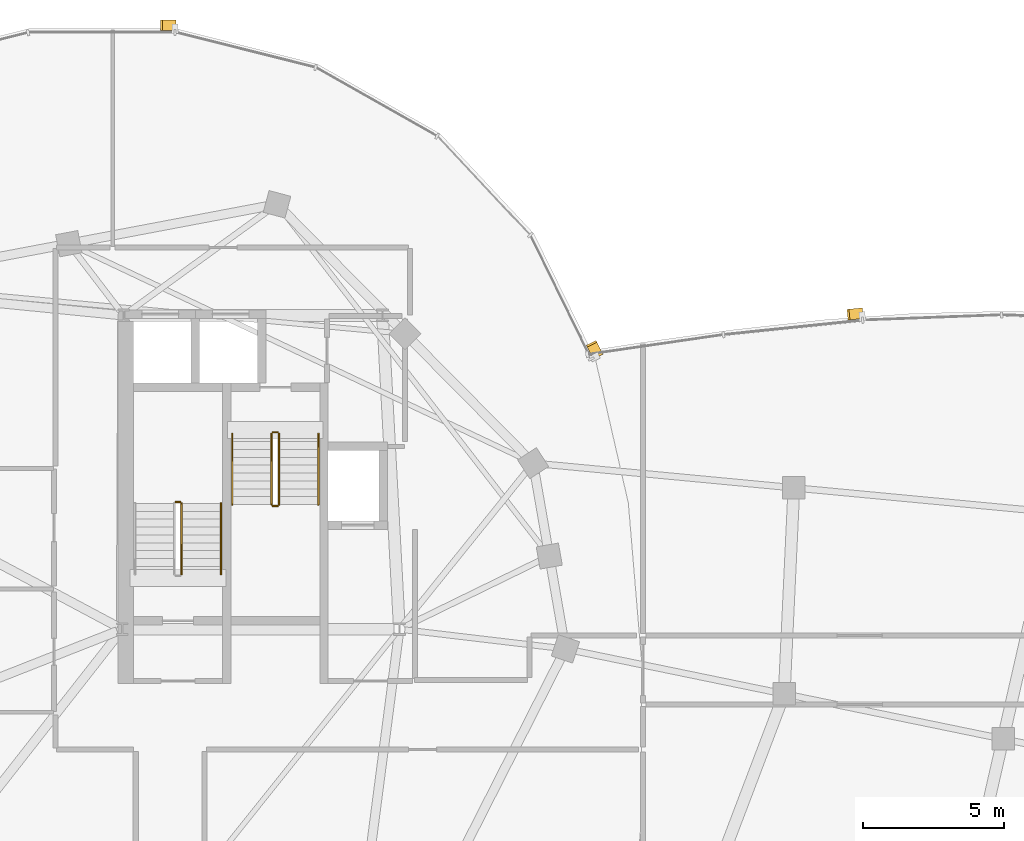
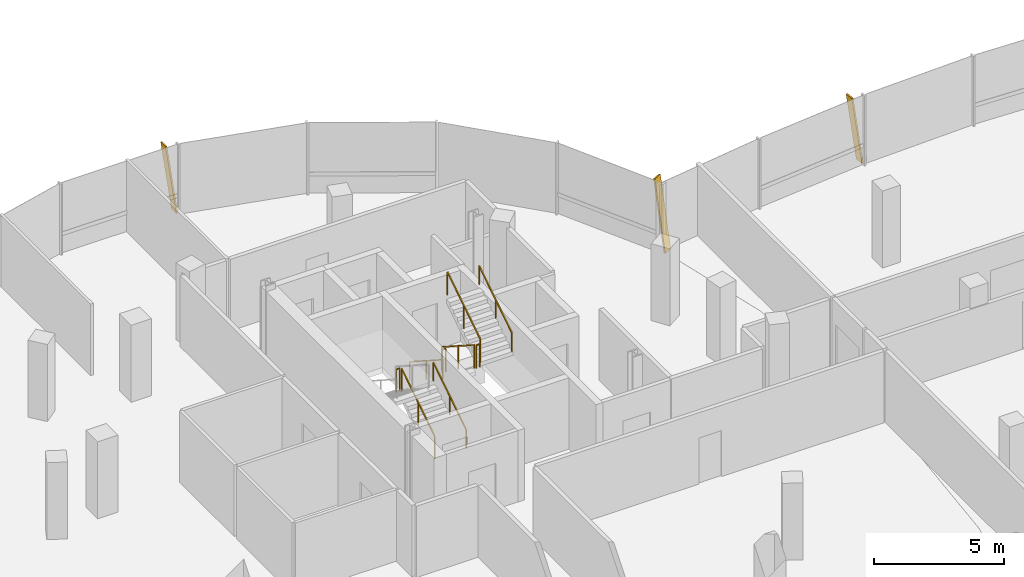
# One storey, part 22 of 24: 9 railings, 3 shading devices.
"""IFC4 building model written with IfcOpenShell, lengths in metres."""

from ifc_helpers import new_model, si_unit, direction, frame, origin, origin_2d, place, context, subcontext, project, spatial, rectangle, extrude, material, material_profile, profile_set, type_object, element, save


model = new_model("IFC4")

# Units and contexts
model_context = context("Model", 3, precision=1e-05, world=origin(), true_north=direction((0.0, 1.0)))
body_context = subcontext(model_context, "Body", "Model", "MODEL_VIEW")
ifc_project = project(units=[si_unit("LENGTHUNIT", "METRE"), si_unit("AREAUNIT", "SQUARE_METRE"), si_unit("VOLUMEUNIT", "CUBIC_METRE"), si_unit("PLANEANGLEUNIT", "RADIAN"), si_unit("MASSUNIT", "GRAM", prefix="KILO"), si_unit("THERMODYNAMICTEMPERATUREUNIT", "KELVIN"), si_unit("POWERUNIT", "WATT")], contexts=[model_context])

# Site, building, storey
site_placement = place(None, origin())
site = spatial("IfcSite", under=ifc_project, at=site_placement, CompositionType="ELEMENT")
building_placement = place(site_placement, origin())
building = spatial("IfcBuilding", under=site, at=building_placement, Name="Cundina Bronze Exchange", CompositionType="ELEMENT")
storey_placement = place(building_placement, frame((0.0, 0.0, 268.39990234375)))
storey = spatial("IfcBuildingStorey", under=building, at=storey_placement, Name="L71", CompositionType="ELEMENT", Elevation=268.39990234375)

# Railings
ifc_material_1 = material(Name="Steel ASTM A36 Painted", Category="steel")
railing_type_1 = type_object("IfcRailingType", Name="RLG-HND-900", PredefinedType="HANDRAIL", material=ifc_material_1)
railing_1_placement = place(storey_placement, frame((-27.7900390625, 5.85009765625, 0.18017578125)))
element("IfcRailing", 1, at=railing_1_placement, inside=storey, type_object=railing_type_1, Name="L71 ST-W1 stair handrail 1", PredefinedType="HANDRAIL", context=body_context, shape_type="SweptSolid", body=[
    extrude(rectangle(XDim=0.048095703125, YDim=0.048095703125, at=origin_2d()), frame((0.0, 0.0, 0.8759765625), z_axis=(0.0, 0.841199657755, 0.540724639528), x_axis=(-1.0, 0.0, 0.0)), (0.0, 0.0, 1.0), 2.995849609375),
    extrude(rectangle(XDim=0.0419921875, YDim=0.0419921875, at=origin_2d()), origin(), (0.0, 0.0, 1.0), 0.851806640625),
    extrude(rectangle(XDim=0.0419921875, YDim=0.0419921875, at=origin_2d()), frame((0.0, 1.260009765625, 0.81005859375)), (0.0, 0.0, 1.0), 0.851806640625),
    extrude(rectangle(XDim=0.0419921875, YDim=0.0419921875, at=origin_2d()), frame((0.0, 2.52001953125, 1.619873046875)), (0.0, 0.0, 1.0), 0.851806640625),
])
railing_2_placement = place(storey_placement, frame((-27.389892578125, 10.85009765625, 0.18017578125)))
element("IfcRailing", 2, at=railing_2_placement, inside=storey, type_object=railing_type_1, Name="L71 ST-W2 stair handrail 1", PredefinedType="HANDRAIL", context=body_context, shape_type="SweptSolid", body=[
    extrude(rectangle(XDim=0.048095703125, YDim=0.048095703125, at=origin_2d()), frame((0.0, 0.0, 0.8759765625), z_axis=(0.0, -0.841199657755, 0.540724639528), x_axis=(1.0, 0.0, 0.0)), (0.0, 0.0, 1.0), 2.995849609375),
    extrude(rectangle(XDim=0.0419921875, YDim=0.0419921875, at=origin_2d()), origin(), (0.0, 0.0, 1.0), 0.851806640625),
    extrude(rectangle(XDim=0.0419921875, YDim=0.0419921875, at=origin_2d()), frame((0.0, -1.260009765625, 0.81005859375)), (0.0, 0.0, 1.0), 0.851806640625),
    extrude(rectangle(XDim=0.0419921875, YDim=0.0419921875, at=origin_2d()), frame((0.0, -2.52001953125, 1.619873046875)), (0.0, 0.0, 1.0), 0.851806640625),
])
railing_3_placement = place(storey_placement, frame((-24.330078125, 8.330078125, 1.97998046875)))
element("IfcRailing", 3, at=railing_3_placement, inside=storey, type_object=railing_type_1, Name="L71 ST-W2 stair handrail 2", PredefinedType="HANDRAIL", context=body_context, shape_type="SweptSolid", body=[
    extrude(rectangle(XDim=0.048095703125, YDim=0.048095703125, at=origin_2d()), frame((0.0, 0.0, 0.8759765625), z_axis=(0.0, 0.841162588446, 0.540782303519), x_axis=(-1.0, 0.0, 0.0)), (0.0, 0.0, 1.0), 2.995849609375),
    extrude(rectangle(XDim=0.0419921875, YDim=0.0419921875, at=origin_2d()), origin(), (0.0, 0.0, 1.0), 0.851806640625),
    extrude(rectangle(XDim=0.0419921875, YDim=0.0419921875, at=origin_2d()), frame((0.0, 1.260009765625, 0.81005859375)), (0.0, 0.0, 1.0), 0.851806640625),
    extrude(rectangle(XDim=0.0419921875, YDim=0.0419921875, at=origin_2d()), frame((0.0, 2.52001953125, 1.6201171875)), (0.0, 0.0, 1.0), 0.851806640625),
])
railing_type_2 = type_object("IfcRailingType", Name="RLG-STG-1100", PredefinedType="GUARDRAIL", material=ifc_material_1)
railing_4_placement = place(storey_placement, frame((-29.18994140625, 5.85009765625, 0.18017578125)))
element("IfcRailing", 4, at=railing_4_placement, inside=storey, type_object=railing_type_2, Name="L71 ST-W1 stair guard 1", PredefinedType="GUARDRAIL", context=body_context, shape_type="SweptSolid", body=[
    extrude(rectangle(XDim=0.048095703125, YDim=0.048095703125, at=origin_2d()), frame((0.0, 0.0, 1.076171875), z_axis=(0.0, 0.841199657755, 0.540724639528), x_axis=(-1.0, 0.0, 0.0)), (0.0, 0.0, 1.0), 2.995849609375),
    extrude(rectangle(XDim=0.0419921875, YDim=0.0419921875, at=origin_2d()), origin(), (0.0, 0.0, 1.0), 1.052001953125),
    extrude(rectangle(XDim=0.0419921875, YDim=0.0419921875, at=origin_2d()), frame((0.0, 1.260009765625, 0.81005859375)), (0.0, 0.0, 1.0), 1.052001953125),
    extrude(rectangle(XDim=0.0419921875, YDim=0.0419921875, at=origin_2d()), frame((0.0, 2.52001953125, 1.619873046875)), (0.0, 0.0, 1.0), 1.052001953125),
])
railing_5_placement = place(storey_placement, frame((-29.239990234375, 8.419921875, 1.800048828125)))
element("IfcRailing", 5, at=railing_5_placement, inside=storey, type_object=railing_type_2, Name="L71 ST-W1 stair guard 2", PredefinedType="GUARDRAIL", context=body_context, shape_type="SweptSolid", body=[
    extrude(rectangle(XDim=0.048095703125, YDim=0.048095703125, at=origin_2d()), frame((0.0, 0.0, 1.076171875), z_axis=(-1.0, 0.0, 0.0), x_axis=(0.0, -1.0, 0.0)), (0.0, 0.0, 1.0), 0.159912109375),
    extrude(rectangle(XDim=0.0419921875, YDim=0.0419921875, at=origin_2d()), origin(), (0.0, 0.0, 1.0), 1.052001953125),
    extrude(rectangle(XDim=0.0419921875, YDim=0.0419921875, at=origin_2d()), frame((-0.159912109375, 0.0, 0.0)), (0.0, 0.0, 1.0), 1.052001953125),
])
railing_6_placement = place(storey_placement, frame((-25.989990234375, 10.85009765625, 0.18017578125)))
element("IfcRailing", 6, at=railing_6_placement, inside=storey, type_object=railing_type_2, Name="L71 ST-W2 stair guard 1", PredefinedType="GUARDRAIL", context=body_context, shape_type="SweptSolid", body=[
    extrude(rectangle(XDim=0.048095703125, YDim=0.048095703125, at=origin_2d()), frame((0.0, 0.0, 1.076171875), z_axis=(0.0, -0.841199657755, 0.540724639528), x_axis=(1.0, 0.0, 0.0)), (0.0, 0.0, 1.0), 2.995849609375),
    extrude(rectangle(XDim=0.0419921875, YDim=0.0419921875, at=origin_2d()), origin(), (0.0, 0.0, 1.0), 1.052001953125),
    extrude(rectangle(XDim=0.0419921875, YDim=0.0419921875, at=origin_2d()), frame((0.0, -1.260009765625, 0.81005859375)), (0.0, 0.0, 1.0), 1.052001953125),
    extrude(rectangle(XDim=0.0419921875, YDim=0.0419921875, at=origin_2d()), frame((0.0, -2.52001953125, 1.619873046875)), (0.0, 0.0, 1.0), 1.052001953125),
])
railing_7_placement = place(storey_placement, frame((-25.93994140625, 8.280029296875, 1.800048828125)))
element("IfcRailing", 7, at=railing_7_placement, inside=storey, type_object=railing_type_2, Name="L71 ST-W2 stair guard 2", PredefinedType="GUARDRAIL", context=body_context, shape_type="SweptSolid", body=[
    extrude(rectangle(XDim=0.048095703125, YDim=0.048095703125, at=origin_2d()), frame((0.0, 0.0, 1.076171875), z_axis=(1.0, 0.0, 0.0), x_axis=(0.0, 1.0, 0.0)), (0.0, 0.0, 1.0), 0.159912109375),
    extrude(rectangle(XDim=0.0419921875, YDim=0.0419921875, at=origin_2d()), origin(), (0.0, 0.0, 1.0), 1.052001953125),
    extrude(rectangle(XDim=0.0419921875, YDim=0.0419921875, at=origin_2d()), frame((0.159912109375, 0.0, 0.0)), (0.0, 0.0, 1.0), 1.052001953125),
])
railing_8_placement = place(storey_placement, frame((-25.72998046875, 8.330078125, 1.97998046875)))
element("IfcRailing", 8, at=railing_8_placement, inside=storey, type_object=railing_type_2, Name="L71 ST-W2 stair guard 3", PredefinedType="GUARDRAIL", context=body_context, shape_type="SweptSolid", body=[
    extrude(rectangle(XDim=0.048095703125, YDim=0.048095703125, at=origin_2d()), frame((0.0, 0.0, 1.076171875), z_axis=(0.0, 0.841162588446, 0.540782303519), x_axis=(-1.0, 0.0, 0.0)), (0.0, 0.0, 1.0), 2.995849609375),
    extrude(rectangle(XDim=0.0419921875, YDim=0.0419921875, at=origin_2d()), origin(), (0.0, 0.0, 1.0), 1.052001953125),
    extrude(rectangle(XDim=0.0419921875, YDim=0.0419921875, at=origin_2d()), frame((0.0, 1.260009765625, 0.81005859375)), (0.0, 0.0, 1.0), 1.052001953125),
    extrude(rectangle(XDim=0.0419921875, YDim=0.0419921875, at=origin_2d()), frame((0.0, 2.52001953125, 1.6201171875)), (0.0, 0.0, 1.0), 1.052001953125),
])
railing_9_placement = place(storey_placement, frame((-25.93994140625, 10.89990234375, 0.0)))
element("IfcRailing", 9, at=railing_9_placement, inside=storey, type_object=railing_type_2, Name="L71 ST-W2 stair guard 4", PredefinedType="GUARDRAIL", context=body_context, shape_type="SweptSolid", body=[
    extrude(rectangle(XDim=0.048095703125, YDim=0.048095703125, at=origin_2d()), frame((0.0, 0.0, 1.076171875), z_axis=(1.0, 0.0, 0.0), x_axis=(0.0, 1.0, 0.0)), (0.0, 0.0, 1.0), 0.159912109375),
    extrude(rectangle(XDim=0.0419921875, YDim=0.0419921875, at=origin_2d()), origin(), (0.0, 0.0, 1.0), 1.052001953125),
    extrude(rectangle(XDim=0.0419921875, YDim=0.0419921875, at=origin_2d()), frame((0.159912109375, 0.0, 0.0)), (0.0, 0.0, 1.0), 1.052001953125),
])

# Shading devices
ifc_material_2 = material(Name="Anodised Bronze Aluminium 6063-T6", Category="aluminium")
ifc_material_profile = material_profile(ifc_material_2, rectangle(XDim=0.070068359375, YDim=0.3798828125, at=origin_2d()), Name="FIN70X380", Category="aluminium")
ifc_profile_set = profile_set([ifc_material_profile], Name="Anodised Bronze Aluminium 6063-T6")
shading_device_type = type_object("IfcShadingDeviceType", Name="SHD-FIN-BRZ380", PredefinedType="USERDEFINED", material=ifc_profile_set)
for number, where, z_axis, x_axis, name in (
    (10, (-14.406494140625, 13.614013671875, 0.02001953125), (-0.063400368732, 0.129216686851, 0.989587510574), (0.435900311632, -0.888411143223, 0.143932480407), "L71 Diagonal Bronze Solar Fin 1"),
    (11, (-29.423583984375, 25.360107421875, 0.02001953125), (-0.143932024572, 0.0, 0.989587576874), (0.989587576874, 0.0, 0.143932024572), "L71 Diagonal Bronze Solar Fin 5"),
):
    element("IfcShadingDevice", number, at=place(storey_placement, frame(where, z_axis=z_axis, x_axis=x_axis)), inside=storey, type_object=shading_device_type, Name=name, ObjectType="FIN", PredefinedType="USERDEFINED", context=body_context, shape_type="SweptSolid", body=[
        extrude(rectangle(XDim=0.070068359375, YDim=0.3798828125, at=origin_2d()), origin(), (0.0, 0.0, 1.0), 3.334716796875),
    ])
shading_device_placement = place(storey_placement, frame((-5.0146484375, 15.12890625, 0.02001953125), z_axis=(-0.145724273631, -0.015056932621, 0.989210657471), x_axis=(0.983972150742, 0.101668733734, 0.14650008582)))
element("IfcShadingDevice", 12, at=shading_device_placement, inside=storey, type_object=shading_device_type, Name="L71 Diagonal Bronze Solar Fin 5", ObjectType="FIN", PredefinedType="USERDEFINED", context=body_context, shape_type="SweptSolid", body=[
    extrude(rectangle(XDim=0.070068359375, YDim=0.3798828125, at=origin_2d()), origin(), (0.0, 0.0, 1.0), 3.275390625),
])

save(model, "model.ifc")
